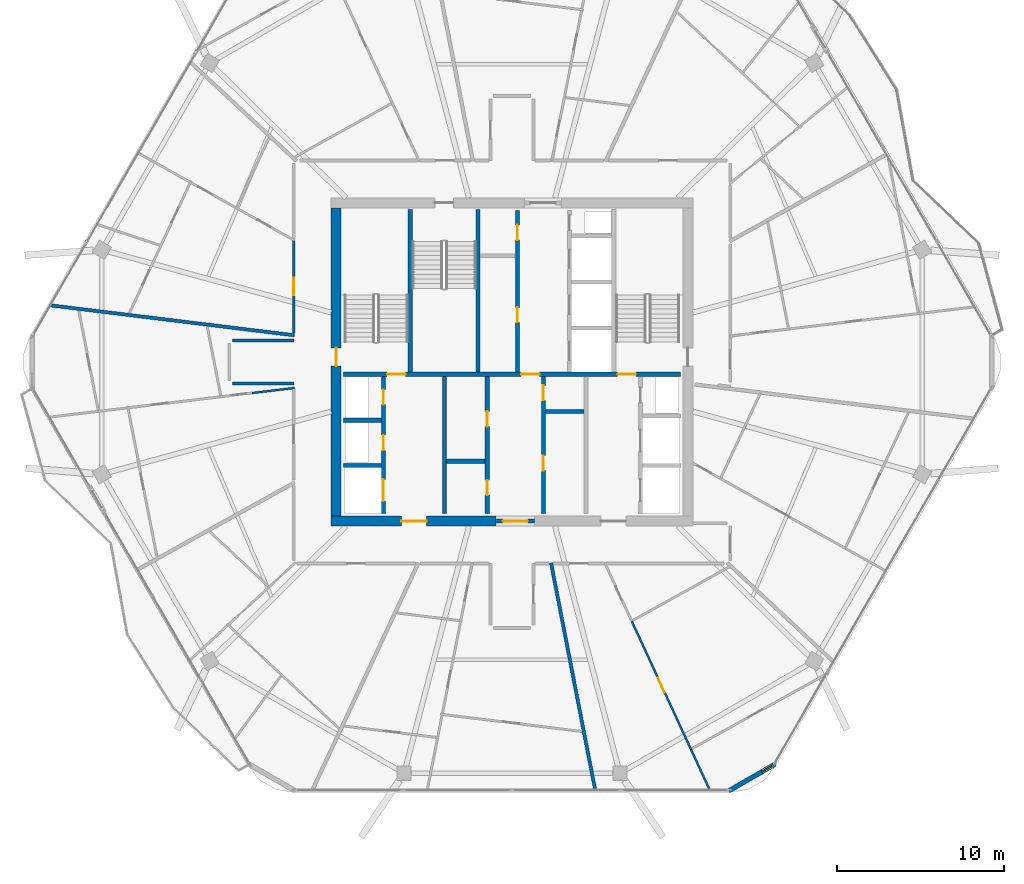
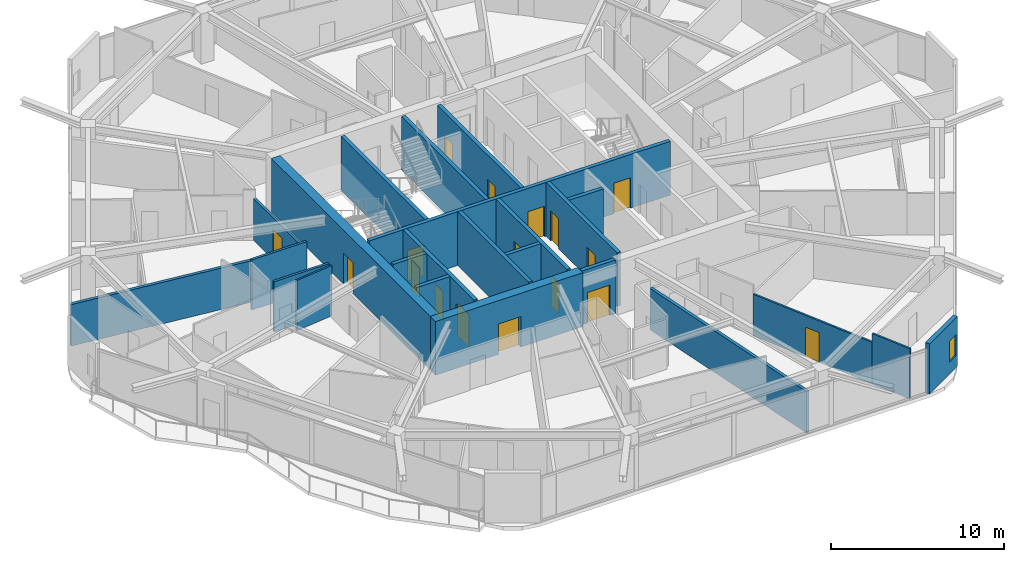
# One storey, part 19 of 26: 24 walls, 17 doors, 1 window, 18 openings.
"""IFC4 building model written with IfcOpenShell, lengths in metres."""

from ifc_helpers import new_model, si_unit, direction, frame, frame_2d, origin, place, context, subcontext, project, spatial, rectangle, extrude, material, layer, layer_set, type_object, element, fill, save


model = new_model("IFC4")

# Units and contexts
model_context = context("Model", 3, precision=1e-05, world=origin(), true_north=direction((0.0, 1.0)))
body_context = subcontext(model_context, "Body", "Model", "MODEL_VIEW")
ifc_project = project(units=[si_unit("LENGTHUNIT", "METRE"), si_unit("AREAUNIT", "SQUARE_METRE"), si_unit("VOLUMEUNIT", "CUBIC_METRE"), si_unit("PLANEANGLEUNIT", "RADIAN"), si_unit("MASSUNIT", "GRAM", prefix="KILO")], contexts=[model_context])

# Site, building, storey
site_placement = place(None, origin())
site = spatial("IfcSite", under=ifc_project, at=site_placement, CompositionType="ELEMENT")
building_placement = place(site_placement, origin())
building = spatial("IfcBuilding", under=site, at=building_placement, Name="Zuhravey Tower", CompositionType="ELEMENT")
storey_placement = place(building_placement, frame((0.0, 0.0, 273.0)))
storey = spatial("IfcBuildingStorey", under=building, at=storey_placement, Name="L69", CompositionType="ELEMENT", Elevation=273.0)

# Wall, opening, door
ifc_material_1 = material(Name="Concrete C50/60", Category="concrete")
ifc_layer_1 = layer(ifc_material_1, 0.60009765625)
ifc_layer_set_1 = layer_set([ifc_layer_1], Name="Concrete C50/60")
wall_type_1 = type_object("IfcWallType", Name="Core Shear Wall 600", PredefinedType="SHEAR", material=ifc_layer_set_1)
wall_1_placement = place(storey_placement, frame((25.199951171875, 22.5, 0.0), z_axis=(0.0, 0.0, 1.0), x_axis=(1.0, 0.0, 0.0)))
wall_1 = element("IfcWall", 1, at=wall_1_placement, inside=storey, type_object=wall_type_1, Name="L69 South-West Core Shear Wall CW60", PredefinedType="SHEAR", context=body_context, shape_type="SweptSolid", body=[
    extrude(rectangle(XDim=9.85009765625, YDim=0.60009765625, at=frame_2d((4.925048828125, 0.0))), origin(), (0.0, 0.0, 1.0), 3.800048828125),
])
opening_1_placement = place(wall_1_placement, frame((4.199951171875, 0.0, 0.0)))
opening_1 = element("IfcOpeningElement", 2, at=opening_1_placement, cuts=wall_1, Name="Opening FFD1", PredefinedType="OPENING", context=body_context, shape_type="SweptSolid", body=[
    extrude(rectangle(XDim=1.5, YDim=2.14990234375, at=frame_2d((0.75, 1.074951171875))), frame((0.0, 0.31201171875, 0.0), z_axis=(0.0, -1.0, 0.0), x_axis=(1.0, 0.0, 0.0)), (0.0, 0.0, 1.0), 0.6240234375),
])
ifc_material_2 = material(Name="Galvanised fire-rated steel leaf", Category="steel")
door_type_1 = type_object("IfcDoorType", Name="Firefighting Lobby Double Door 1500x2150", OperationType="DOUBLE_DOOR_SINGLE_SWING", PredefinedType="DOOR", material=ifc_material_2)
door_1_placement = place(opening_1_placement, origin())
door_1 = element("IfcDoor", 3, at=door_1_placement, inside=storey, type_object=door_type_1, Name="L69 Firefighting Lobby West Door", OperationType="DOUBLE_DOOR_SINGLE_SWING", OverallHeight=2.14990234375, OverallWidth=1.5, PredefinedType="DOOR", context=body_context, shape_type="SweptSolid", body=[
    extrude(rectangle(XDim=1.5, YDim=2.14990234375, at=frame_2d((0.75, 1.074951171875))), frame((0.0, 0.02490234375, 0.0), z_axis=(0.0, -1.0, 0.0), x_axis=(1.0, 0.0, 0.0)), (0.0, 0.0, 1.0), 0.050048828125),
])
fill(opening_1, door_1)

wall_2_placement = place(storey_placement, frame((25.5, 22.800048828125, 0.0), z_axis=(0.0, 0.0, 1.0), x_axis=(0.0, 1.0, 0.0)))
wall_2 = element("IfcWall", 4, at=wall_2_placement, inside=storey, type_object=wall_type_1, Name="L69 West Core Shear Wall CW60", PredefinedType="SHEAR", context=body_context, shape_type="SweptSolid", body=[
    extrude(rectangle(XDim=18.39990234375, YDim=0.60009765625, at=frame_2d((9.199951171875, 0.0))), origin(), (0.0, 0.0, 1.0), 3.800048828125),
])
opening_2_placement = place(wall_2_placement, frame((8.949951171875, 0.0, 0.0)))
opening_2 = element("IfcOpeningElement", 5, at=opening_2_placement, cuts=wall_2, Name="Opening STD1", PredefinedType="OPENING", context=body_context, shape_type="SweptSolid", body=[
    extrude(rectangle(XDim=1.10009765625, YDim=2.14990234375, at=frame_2d((0.550048828125, 1.074951171875))), frame((0.0, 0.31201171875, 0.0), z_axis=(0.0, -1.0, 0.0), x_axis=(1.0, 0.0, 0.0)), (0.0, 0.0, 1.0), 0.6240234375),
])
door_type_2 = type_object("IfcDoorType", Name="Protected Stair Fire Door 1100x2150", OperationType="NOTDEFINED", PredefinedType="USERDEFINED", material=ifc_material_2)
door_2_placement = place(opening_2_placement, frame((1.10009765625, 0.0, 0.0), z_axis=(0.0, 0.0, 1.0), x_axis=(-1.0, 0.0, 0.0)))
door_2 = element("IfcDoor", 6, at=door_2_placement, inside=storey, type_object=door_type_2, Name="L69 Stair ST1 Door", ObjectType="EXITDOOR", OperationType="SINGLE_SWING_RIGHT", OverallHeight=2.14990234375, OverallWidth=1.10009765625, PredefinedType="USERDEFINED", context=body_context, shape_type="SweptSolid", body=[
    extrude(rectangle(XDim=1.10009765625, YDim=2.14990234375, at=frame_2d((0.550048828125, 1.074951171875))), frame((0.0, 0.02490234375, 0.0), z_axis=(0.0, -1.0, 0.0), x_axis=(1.0, 0.0, 0.0)), (0.0, 0.0, 1.0), 0.050048828125),
])
fill(opening_2, door_2)

ifc_material_3 = material(Name="Gypsum fire-rated stud partition")
ifc_layer_2 = layer(ifc_material_3, 0.159912109375)
ifc_layer_set_2 = layer_set([ifc_layer_2], Name="Gypsum fire-rated stud partition")
wall_type_2 = type_object("IfcWallType", Name="Corridor Fire Partition 160", PredefinedType="PARTITIONING", material=ifc_layer_set_2)
wall_3_placement = place(storey_placement, frame((22.969970703125, 39.25927734375, 0.0), z_axis=(0.0, 0.0, 1.0), x_axis=(0.0, -1.0, 0.0)))
wall_3 = element("IfcWall", 7, at=wall_3_placement, inside=storey, type_object=wall_type_2, Name="L69 IW16 Partition 025", PredefinedType="PARTITIONING", context=body_context, shape_type="SweptSolid", body=[
    extrude(rectangle(XDim=5.523681640625, YDim=0.159912109375, at=frame_2d((2.76171875, 0.0))), origin(), (0.0, 0.0, 1.0), 2.949951171875),
])
opening_3_placement = place(wall_3_placement, frame((2.23681640625, 0.0, 0.0)))
opening_3 = element("IfcOpeningElement", 8, at=opening_3_placement, cuts=wall_3, Name="Opening APD1", PredefinedType="OPENING", context=body_context, shape_type="SweptSolid", body=[
    extrude(rectangle(XDim=1.050048828125, YDim=2.14990234375, at=frame_2d((0.52490234375, 1.074951171875))), frame((0.0, 0.092041015625, 0.0), z_axis=(0.0, -1.0, 0.0), x_axis=(1.0, 0.0, 0.0)), (0.0, 0.0, 1.0), 0.183837890625),
])
ifc_material_4 = material(Name="Solid-core oak fire-rated leaf")
door_type_3 = type_object("IfcDoorType", Name="Apartment Entrance Fire Door 1050x2150", OperationType="NOTDEFINED", PredefinedType="DOOR", material=ifc_material_4)
door_3_placement = place(opening_3_placement, frame((1.050048828125, 0.0, 0.0), z_axis=(0.0, 0.0, 1.0), x_axis=(-1.0, 0.0, 0.0)))
door_3 = element("IfcDoor", 9, at=door_3_placement, inside=storey, type_object=door_type_3, Name="L69 Door 025.1", OperationType="SINGLE_SWING_RIGHT", OverallHeight=2.14990234375, OverallWidth=1.050048828125, PredefinedType="DOOR", context=body_context, shape_type="SweptSolid", body=[
    extrude(rectangle(XDim=1.050048828125, YDim=2.14990234375, at=frame_2d((0.52490234375, 1.074951171875))), frame((0.0, 0.02490234375, 0.0), z_axis=(0.0, -1.0, 0.0), x_axis=(1.0, 0.0, 0.0)), (0.0, 0.0, 1.0), 0.050048828125),
])
fill(opening_3, door_3)

# Walls
for number, where, z_axis, x_axis, name in (
    (10, (22.969970703125, 33.280029296875, 0.0), (0.0, 0.0, 1.0), (-1.0, 0.0, 0.0), "L69 IW16 Partition 114"),
    (11, (19.300048828125, 30.719970703125, 0.0), (0.0, 0.0, 1.0), (1.0, 0.0, 0.0), "L69 IW16 Partition 115"),
):
    element("IfcWall", number, at=place(storey_placement, frame(where, z_axis=z_axis, x_axis=x_axis)), inside=storey, type_object=wall_type_2, Name=name, PredefinedType="PARTITIONING", context=body_context, shape_type="SweptSolid", body=[
        extrude(rectangle(XDim=3.669921875, YDim=0.159912109375, at=frame_2d((1.8349609375, 0.0))), origin(), (0.0, 0.0, 1.0), 3.550048828125),
    ])

# Wall, opening, window
ifc_material_5 = material(Name="Precast concrete C40/50", Category="concrete")
ifc_layer_3 = layer(ifc_material_5, 0.280029296875)
ifc_layer_set_3 = layer_set([ifc_layer_3], Name="Precast concrete C40/50")
wall_type_3 = type_object("IfcWallType", Name="Crown Architectural Wall 280", PredefinedType="SOLIDWALL", material=ifc_layer_set_3)
wall_4_placement = place(storey_placement, frame((51.714599609375, 7.996337890625, 0.0), z_axis=(0.0, 0.0, 1.0), x_axis=(-0.866028773314, -0.499994163758, 0.0)))
wall_4 = element("IfcWall", 12, at=wall_4_placement, inside=storey, type_object=wall_type_3, Name="L69 Rounded Corner Closure Wall EW28-02", PredefinedType="SOLIDWALL", context=body_context, shape_type="SweptSolid", body=[
    extrude(rectangle(XDim=3.21484375, YDim=0.280029296875, at=frame_2d((1.607421875, 0.0))), origin(), (0.0, 0.0, 1.0), 3.550048828125),
])
opening_4_placement = place(wall_4_placement, frame((0.17578125, 0.0, 0.85009765625)))
opening_4 = element("IfcOpeningElement", 13, at=opening_4_placement, cuts=wall_4, Name="Opening WN5", PredefinedType="OPENING", context=body_context, shape_type="SweptSolid", body=[
    extrude(rectangle(XDim=0.75, YDim=1.5, at=frame_2d((0.375, 0.75))), frame((0.0, 0.152099609375, 0.0), z_axis=(0.0, -1.0, 0.0), x_axis=(1.0, 0.0, 0.0)), (0.0, 0.0, 1.0), 0.303955078125),
])
ifc_material_6 = material(Name="Thermally broken aluminium and triple low-E glass", Category="aluminium")
window_type = type_object("IfcWindowType", Name="Residential Corner Casement Window 750x1500", PartitioningType="SINGLE_PANEL", PredefinedType="WINDOW", material=ifc_material_6)
window_placement = place(opening_4_placement, origin())
window = element("IfcWindow", 14, at=window_placement, inside=storey, type_object=window_type, Name="L69 Corner Casement Window WN5-02.1", OverallHeight=1.5, OverallWidth=0.75, PartitioningType="SINGLE_PANEL", PredefinedType="WINDOW", context=body_context, shape_type="SweptSolid", body=[
    extrude(rectangle(XDim=0.75, YDim=1.5, at=frame_2d((0.375, 0.75))), frame((0.0, 0.030029296875, 0.0), z_axis=(0.0, -1.0, 0.0), x_axis=(1.0, 0.0, 0.0)), (0.0, 0.0, 1.0), 0.06005859375),
])
fill(opening_4, window)

# Wall, opening, door
ifc_layer_4 = layer(ifc_material_1, 0.25)
ifc_layer_set_4 = layer_set([ifc_layer_4], Name="Concrete C50/60")
wall_type_4 = type_object("IfcWallType", Name="Firefighting Shaft & Stair Wall 250", PredefinedType="SOLIDWALL", material=ifc_layer_set_4)
wall_5_placement = place(storey_placement, frame((35.06005859375, 22.5, 0.0), z_axis=(0.0, 0.0, 1.0), x_axis=(1.0, 0.0, 0.0)))
wall_5 = element("IfcWall", 15, at=wall_5_placement, inside=storey, type_object=wall_type_4, Name="L69 FW25 Shaft Wall 001", PredefinedType="SOLIDWALL", context=body_context, shape_type="SweptSolid", body=[
    extrude(rectangle(XDim=2.280029296875, YDim=0.25, at=frame_2d((1.14013671875, 0.0))), origin(), (0.0, 0.0, 1.0), 3.800048828125),
])
opening_5_placement = place(wall_5_placement, frame((0.389892578125, 0.0, 0.0)))
opening_5 = element("IfcOpeningElement", 16, at=opening_5_placement, cuts=wall_5, Name="Opening FFD1", PredefinedType="OPENING", context=body_context, shape_type="SweptSolid", body=[
    extrude(rectangle(XDim=1.5, YDim=2.14990234375, at=frame_2d((0.75, 1.074951171875))), frame((0.0, 0.136962890625, 0.0), z_axis=(0.0, -1.0, 0.0), x_axis=(1.0, 0.0, 0.0)), (0.0, 0.0, 1.0), 0.27392578125),
])
door_4_placement = place(opening_5_placement, frame((1.5, 0.0, 0.0), z_axis=(0.0, 0.0, 1.0), x_axis=(-1.0, 0.0, 0.0)))
door_4 = element("IfcDoor", 17, at=door_4_placement, inside=storey, type_object=door_type_1, Name="L69 South Lift Lobby Exit Door", OperationType="DOUBLE_DOOR_SINGLE_SWING", OverallHeight=2.14990234375, OverallWidth=1.5, PredefinedType="DOOR", context=body_context, shape_type="SweptSolid", body=[
    extrude(rectangle(XDim=1.5, YDim=2.14990234375, at=frame_2d((0.75, 1.074951171875))), frame((0.0, 0.02490234375, 0.0), z_axis=(0.0, -1.0, 0.0), x_axis=(1.0, 0.0, 0.0)), (0.0, 0.0, 1.0), 0.050048828125),
])
fill(opening_5, door_4)

# Wall, openings, doors
wall_6_placement = place(storey_placement, frame((25.949951171875, 31.27490234375, 0.0), z_axis=(0.0, 0.0, 1.0), x_axis=(1.0, 0.0, 0.0)))
wall_6 = element("IfcWall", 18, at=wall_6_placement, inside=storey, type_object=wall_type_4, Name="L69 FW25 Shaft Wall 003", PredefinedType="SOLIDWALL", context=body_context, shape_type="SweptSolid", body=[
    extrude(rectangle(XDim=20.10009765625, YDim=0.25, at=frame_2d((10.050048828125, 0.0))), origin(), (0.0, 0.0, 1.0), 3.800048828125),
])
opening_6_placement = place(wall_6_placement, frame((2.60009765625, 0.0, 0.0)))
opening_6 = element("IfcOpeningElement", 19, at=opening_6_placement, cuts=wall_6, Name="Opening STD1", PredefinedType="OPENING", context=body_context, shape_type="SweptSolid", body=[
    extrude(rectangle(XDim=1.10009765625, YDim=2.14990234375, at=frame_2d((0.550048828125, 1.074951171875))), frame((0.0, 0.136962890625, 0.0), z_axis=(0.0, -1.0, 0.0), x_axis=(1.0, 0.0, 0.0)), (0.0, 0.0, 1.0), 0.27392578125),
])
opening_7_placement = place(wall_6_placement, frame((10.60009765625, 0.0, 0.0)))
opening_7 = element("IfcOpeningElement", 20, at=opening_7_placement, cuts=wall_6, Name="Opening STD1", PredefinedType="OPENING", context=body_context, shape_type="SweptSolid", body=[
    extrude(rectangle(XDim=1.10009765625, YDim=2.14990234375, at=frame_2d((0.550048828125, 1.074951171875))), frame((0.0, 0.136962890625, 0.0), z_axis=(0.0, -1.0, 0.0), x_axis=(1.0, 0.0, 0.0)), (0.0, 0.0, 1.0), 0.27392578125),
])
opening_8_placement = place(wall_6_placement, frame((16.35009765625, 0.0, 0.0)))
opening_8 = element("IfcOpeningElement", 21, at=opening_8_placement, cuts=wall_6, Name="Opening STD1", PredefinedType="OPENING", context=body_context, shape_type="SweptSolid", body=[
    extrude(rectangle(XDim=1.10009765625, YDim=2.14990234375, at=frame_2d((0.550048828125, 1.074951171875))), frame((0.0, 0.136962890625, 0.0), z_axis=(0.0, -1.0, 0.0), x_axis=(1.0, 0.0, 0.0)), (0.0, 0.0, 1.0), 0.27392578125),
])
door_5_placement = place(opening_6_placement, origin())
door_5 = element("IfcDoor", 22, at=door_5_placement, inside=storey, type_object=door_type_2, Name="L69 FFL-W to ST1 Door", ObjectType="EXITDOOR", OperationType="SINGLE_SWING_LEFT", OverallHeight=2.14990234375, OverallWidth=1.10009765625, PredefinedType="USERDEFINED", context=body_context, shape_type="SweptSolid", body=[
    extrude(rectangle(XDim=1.10009765625, YDim=2.14990234375, at=frame_2d((0.550048828125, 1.074951171875))), frame((0.0, 0.02490234375, 0.0), z_axis=(0.0, -1.0, 0.0), x_axis=(1.0, 0.0, 0.0)), (0.0, 0.0, 1.0), 0.050048828125),
])
fill(opening_6, door_5)
door_6_placement = place(opening_7_placement, origin())
door_6 = element("IfcDoor", 23, at=door_6_placement, inside=storey, type_object=door_type_2, Name="L69 Core Lobby Link Door", ObjectType="EXITDOOR", OperationType="SINGLE_SWING_RIGHT", OverallHeight=2.14990234375, OverallWidth=1.10009765625, PredefinedType="USERDEFINED", context=body_context, shape_type="SweptSolid", body=[
    extrude(rectangle(XDim=1.10009765625, YDim=2.14990234375, at=frame_2d((0.550048828125, 1.074951171875))), frame((0.0, 0.02490234375, 0.0), z_axis=(0.0, -1.0, 0.0), x_axis=(1.0, 0.0, 0.0)), (0.0, 0.0, 1.0), 0.050048828125),
])
fill(opening_7, door_6)
door_7_placement = place(opening_8_placement, origin())
door_7 = element("IfcDoor", 24, at=door_7_placement, inside=storey, type_object=door_type_2, Name="L69 FFL-E to ST2 Door", ObjectType="EXITDOOR", OperationType="SINGLE_SWING_LEFT", OverallHeight=2.14990234375, OverallWidth=1.10009765625, PredefinedType="USERDEFINED", context=body_context, shape_type="SweptSolid", body=[
    extrude(rectangle(XDim=1.10009765625, YDim=2.14990234375, at=frame_2d((0.550048828125, 1.074951171875))), frame((0.0, 0.02490234375, 0.0), z_axis=(0.0, -1.0, 0.0), x_axis=(1.0, 0.0, 0.0)), (0.0, 0.0, 1.0), 0.050048828125),
])
fill(opening_8, door_7)

# Walls
for number, where, z_axis, x_axis, name in (
    (25, (29.925048828125, 31.39990234375, 0.0), (0.0, 0.0, 1.0), (0.0, 1.0, 0.0), "L69 FW25 Shaft Wall 004"),
    (26, (33.97509765625, 31.39990234375, 0.0), (0.0, 0.0, 1.0), (0.0, 1.0, 0.0), "L69 FW25 Shaft Wall 005"),
):
    element("IfcWall", number, at=place(storey_placement, frame(where, z_axis=z_axis, x_axis=x_axis)), inside=storey, type_object=wall_type_4, Name=name, PredefinedType="SOLIDWALL", context=body_context, shape_type="SweptSolid", body=[
        extrude(rectangle(XDim=9.7001953125, YDim=0.25, at=frame_2d((4.85009765625, 0.0))), origin(), (0.0, 0.0, 1.0), 3.800048828125),
    ])

# Wall, openings, doors
wall_7_placement = place(storey_placement, frame((36.324951171875, 31.39990234375, 0.0), z_axis=(0.0, 0.0, 1.0), x_axis=(0.0, 1.0, 0.0)))
wall_7 = element("IfcWall", 27, at=wall_7_placement, inside=storey, type_object=wall_type_4, Name="L69 FW25 Shaft Wall 007", PredefinedType="SOLIDWALL", context=body_context, shape_type="SweptSolid", body=[
    extrude(rectangle(XDim=9.650146484375, YDim=0.25, at=frame_2d((4.8251953125, 0.0))), origin(), (0.0, 0.0, 1.0), 3.800048828125),
])
opening_9_placement = place(wall_7_placement, frame((2.965087890625, 0.0, 0.0)))
opening_9 = element("IfcOpeningElement", 28, at=opening_9_placement, cuts=wall_7, Name="Opening RSD1", PredefinedType="OPENING", context=body_context, shape_type="SweptSolid", body=[
    extrude(rectangle(XDim=0.89990234375, YDim=2.10009765625, at=frame_2d((0.449951171875, 1.050048828125))), frame((0.0, 0.136962890625, 0.0), z_axis=(0.0, -1.0, 0.0), x_axis=(1.0, 0.0, 0.0)), (0.0, 0.0, 1.0), 0.27392578125),
])
opening_10_placement = place(wall_7_placement, frame((7.885009765625, 0.0, 0.0)))
opening_10 = element("IfcOpeningElement", 29, at=opening_10_placement, cuts=wall_7, Name="Opening RSD1", PredefinedType="OPENING", context=body_context, shape_type="SweptSolid", body=[
    extrude(rectangle(XDim=0.89990234375, YDim=2.10009765625, at=frame_2d((0.449951171875, 1.050048828125))), frame((0.0, 0.136962890625, 0.0), z_axis=(0.0, -1.0, 0.0), x_axis=(1.0, 0.0, 0.0)), (0.0, 0.0, 1.0), 0.27392578125),
])
ifc_material_7 = material(Name="Galvanised fire-rated steel access leaf", Category="steel")
door_type_4 = type_object("IfcDoorType", Name="Riser & Shaft Access Fire Door 900x2100", OperationType="NOTDEFINED", PredefinedType="DOOR", material=ifc_material_7)
door_8_placement = place(opening_9_placement, origin())
door_8 = element("IfcDoor", 30, at=door_8_placement, inside=storey, type_object=door_type_4, Name="L69 Equipment and Refuse Store Door", OperationType="SINGLE_SWING_RIGHT", OverallHeight=2.10009765625, OverallWidth=0.89990234375, PredefinedType="DOOR", context=body_context, shape_type="SweptSolid", body=[
    extrude(rectangle(XDim=0.89990234375, YDim=2.10009765625, at=frame_2d((0.449951171875, 1.050048828125))), frame((0.0, 0.02490234375, 0.0), z_axis=(0.0, -1.0, 0.0), x_axis=(1.0, 0.0, 0.0)), (0.0, 0.0, 1.0), 0.050048828125),
])
fill(opening_9, door_8)
door_9_placement = place(opening_10_placement, origin())
door_9 = element("IfcDoor", 31, at=door_9_placement, inside=storey, type_object=door_type_4, Name="L69 BMS Control Room Door", OperationType="SINGLE_SWING_LEFT", OverallHeight=2.10009765625, OverallWidth=0.89990234375, PredefinedType="DOOR", context=body_context, shape_type="SweptSolid", body=[
    extrude(rectangle(XDim=0.89990234375, YDim=2.10009765625, at=frame_2d((0.449951171875, 1.050048828125))), frame((0.0, 0.02490234375, 0.0), z_axis=(0.0, -1.0, 0.0), x_axis=(1.0, 0.0, 0.0)), (0.0, 0.0, 1.0), 0.050048828125),
])
fill(opening_10, door_9)

# Walls
for number, where, z_axis, x_axis, name in (
    (32, (25.949951171875, 25.824951171875, 0.0), (0.0, 0.0, 1.0), (1.0, 0.0, 0.0), "L69 FW25 Shaft Wall 009"),
    (33, (25.949951171875, 28.52490234375, 0.0), (0.0, 0.0, 1.0), (1.0, 0.0, 0.0), "L69 FW25 Shaft Wall 010"),
):
    element("IfcWall", number, at=place(storey_placement, frame(where, z_axis=z_axis, x_axis=x_axis)), inside=storey, type_object=wall_type_4, Name=name, PredefinedType="SOLIDWALL", context=body_context, shape_type="SweptSolid", body=[
        extrude(rectangle(XDim=2.25, YDim=0.25, at=frame_2d((1.125, 0.0))), origin(), (0.0, 0.0, 1.0), 3.800048828125),
    ])

# Wall, openings, doors
wall_8_placement = place(storey_placement, frame((28.324951171875, 22.949951171875, 0.0), z_axis=(0.0, 0.0, 1.0), x_axis=(0.0, 1.0, 0.0)))
wall_8 = element("IfcWall", 34, at=wall_8_placement, inside=storey, type_object=wall_type_4, Name="L69 FW25 Shaft Wall 011", PredefinedType="SOLIDWALL", context=body_context, shape_type="SweptSolid", body=[
    extrude(rectangle(XDim=8.199951171875, YDim=0.25, at=frame_2d((4.10009765625, 0.0))), origin(), (0.0, 0.0, 1.0), 3.800048828125),
])
opening_11_placement = place(wall_8_placement, frame((0.75, 0.0, 0.0)))
opening_11 = element("IfcOpeningElement", 35, at=opening_11_placement, cuts=wall_8, Name="Opening LD2", PredefinedType="OPENING", context=body_context, shape_type="SweptSolid", body=[
    extrude(rectangle(XDim=1.300048828125, YDim=2.300048828125, at=frame_2d((0.64990234375, 1.14990234375))), frame((0.0, 0.136962890625, 0.0), z_axis=(0.0, -1.0, 0.0), x_axis=(1.0, 0.0, 0.0)), (0.0, 0.0, 1.0), 0.27392578125),
])
opening_12_placement = place(wall_8_placement, frame((3.780029296875, 0.0, 0.0)))
opening_12 = element("IfcOpeningElement", 36, at=opening_12_placement, cuts=wall_8, Name="Opening RSD1", PredefinedType="OPENING", context=body_context, shape_type="SweptSolid", body=[
    extrude(rectangle(XDim=0.89990234375, YDim=2.10009765625, at=frame_2d((0.449951171875, 1.050048828125))), frame((0.0, 0.136962890625, 0.0), z_axis=(0.0, -1.0, 0.0), x_axis=(1.0, 0.0, 0.0)), (0.0, 0.0, 1.0), 0.27392578125),
])
opening_13_placement = place(wall_8_placement, frame((6.5, 0.0, 0.0)))
opening_13 = element("IfcOpeningElement", 37, at=opening_13_placement, cuts=wall_8, Name="Opening RSD1", PredefinedType="OPENING", context=body_context, shape_type="SweptSolid", body=[
    extrude(rectangle(XDim=0.89990234375, YDim=2.10009765625, at=frame_2d((0.449951171875, 1.050048828125))), frame((0.0, 0.136962890625, 0.0), z_axis=(0.0, -1.0, 0.0), x_axis=(1.0, 0.0, 0.0)), (0.0, 0.0, 1.0), 0.27392578125),
])
ifc_material_8 = material(Name="Brushed stainless steel", Category="steel")
door_type_5 = type_object("IfcDoorType", Name="Freight & Stretcher Lift Sliding Door 1300x2300", OperationType="DOUBLE_DOOR_SLIDING", PredefinedType="DOOR", material=ifc_material_8)
door_10_placement = place(opening_11_placement, frame((1.300048828125, 0.0, 0.0), z_axis=(0.0, 0.0, 1.0), x_axis=(-1.0, 0.0, 0.0)))
door_10 = element("IfcDoor", 38, at=door_10_placement, inside=storey, type_object=door_type_5, Name="L69 Lift FF1 Landing Door", OperationType="DOUBLE_DOOR_SLIDING", OverallHeight=2.300048828125, OverallWidth=1.300048828125, PredefinedType="DOOR", context=body_context, shape_type="SweptSolid", body=[
    extrude(rectangle(XDim=1.300048828125, YDim=2.300048828125, at=frame_2d((0.64990234375, 1.14990234375))), frame((0.0, 0.02490234375, 0.0), z_axis=(0.0, -1.0, 0.0), x_axis=(1.0, 0.0, 0.0)), (0.0, 0.0, 1.0), 0.050048828125),
])
fill(opening_11, door_10)
door_11_placement = place(opening_12_placement, frame((0.89990234375, 0.0, 0.0), z_axis=(0.0, 0.0, 1.0), x_axis=(-1.0, 0.0, 0.0)))
door_11 = element("IfcDoor", 39, at=door_11_placement, inside=storey, type_object=door_type_4, Name="L69 Electrical Riser Door", OperationType="SINGLE_SWING_LEFT", OverallHeight=2.10009765625, OverallWidth=0.89990234375, PredefinedType="DOOR", context=body_context, shape_type="SweptSolid", body=[
    extrude(rectangle(XDim=0.89990234375, YDim=2.10009765625, at=frame_2d((0.449951171875, 1.050048828125))), frame((0.0, 0.02490234375, 0.0), z_axis=(0.0, -1.0, 0.0), x_axis=(1.0, 0.0, 0.0)), (0.0, 0.0, 1.0), 0.050048828125),
])
fill(opening_12, door_11)
door_12_placement = place(opening_13_placement, frame((0.89990234375, 0.0, 0.0), z_axis=(0.0, 0.0, 1.0), x_axis=(-1.0, 0.0, 0.0)))
door_12 = element("IfcDoor", 40, at=door_12_placement, inside=storey, type_object=door_type_4, Name="L69 Smoke Shaft Access Door", OperationType="SINGLE_SWING_RIGHT", OverallHeight=2.10009765625, OverallWidth=0.89990234375, PredefinedType="DOOR", context=body_context, shape_type="SweptSolid", body=[
    extrude(rectangle(XDim=0.89990234375, YDim=2.10009765625, at=frame_2d((0.449951171875, 1.050048828125))), frame((0.0, 0.02490234375, 0.0), z_axis=(0.0, -1.0, 0.0), x_axis=(1.0, 0.0, 0.0)), (0.0, 0.0, 1.0), 0.050048828125),
])
fill(opening_13, door_12)

# Walls
wall_9_placement = place(storey_placement, frame((31.97509765625, 22.949951171875, 0.0), z_axis=(0.0, 0.0, 1.0), x_axis=(0.0, 1.0, 0.0)))
element("IfcWall", 41, at=wall_9_placement, inside=storey, type_object=wall_type_4, Name="L69 FW25 Shaft Wall 012", PredefinedType="SOLIDWALL", context=body_context, shape_type="SweptSolid", body=[
    extrude(rectangle(XDim=8.199951171875, YDim=0.25, at=frame_2d((4.10009765625, 0.0))), origin(), (0.0, 0.0, 1.0), 3.800048828125),
])
wall_10_placement = place(storey_placement, frame((32.10009765625, 26.074951171875, 0.0), z_axis=(0.0, 0.0, 1.0), x_axis=(1.0, 0.0, 0.0)))
element("IfcWall", 42, at=wall_10_placement, inside=storey, type_object=wall_type_4, Name="L69 FW25 Shaft Wall 013", PredefinedType="SOLIDWALL", context=body_context, shape_type="SweptSolid", body=[
    extrude(rectangle(XDim=2.2998046875, YDim=0.25, at=frame_2d((1.14990234375, 0.0))), origin(), (0.0, 0.0, 1.0), 3.800048828125),
])

# Wall, openings, doors
wall_11_placement = place(storey_placement, frame((34.52490234375, 22.949951171875, 0.0), z_axis=(0.0, 0.0, 1.0), x_axis=(0.0, 1.0, 0.0)))
wall_11 = element("IfcWall", 43, at=wall_11_placement, inside=storey, type_object=wall_type_4, Name="L69 FW25 Shaft Wall 014", PredefinedType="SOLIDWALL", context=body_context, shape_type="SweptSolid", body=[
    extrude(rectangle(XDim=8.199951171875, YDim=0.25, at=frame_2d((4.10009765625, 0.0))), origin(), (0.0, 0.0, 1.0), 3.800048828125),
])
opening_14_placement = place(wall_11_placement, frame((1.10009765625, 0.0, 0.0)))
opening_14 = element("IfcOpeningElement", 44, at=opening_14_placement, cuts=wall_11, Name="Opening RSD1", PredefinedType="OPENING", context=body_context, shape_type="SweptSolid", body=[
    extrude(rectangle(XDim=0.89990234375, YDim=2.10009765625, at=frame_2d((0.449951171875, 1.050048828125))), frame((0.0, 0.136962890625, 0.0), z_axis=(0.0, -1.0, 0.0), x_axis=(1.0, 0.0, 0.0)), (0.0, 0.0, 1.0), 0.27392578125),
])
opening_15_placement = place(wall_11_placement, frame((5.199951171875, 0.0, 0.0)))
opening_15 = element("IfcOpeningElement", 45, at=opening_15_placement, cuts=wall_11, Name="Opening RSD1", PredefinedType="OPENING", context=body_context, shape_type="SweptSolid", body=[
    extrude(rectangle(XDim=0.89990234375, YDim=2.10009765625, at=frame_2d((0.449951171875, 1.050048828125))), frame((0.0, 0.136962890625, 0.0), z_axis=(0.0, -1.0, 0.0), x_axis=(1.0, 0.0, 0.0)), (0.0, 0.0, 1.0), 0.27392578125),
])
door_13_placement = place(opening_14_placement, origin())
door_13 = element("IfcDoor", 46, at=door_13_placement, inside=storey, type_object=door_type_4, Name="L69 Metering Room Door", OperationType="SINGLE_SWING_LEFT", OverallHeight=2.10009765625, OverallWidth=0.89990234375, PredefinedType="DOOR", context=body_context, shape_type="SweptSolid", body=[
    extrude(rectangle(XDim=0.89990234375, YDim=2.10009765625, at=frame_2d((0.449951171875, 1.050048828125))), frame((0.0, 0.02490234375, 0.0), z_axis=(0.0, -1.0, 0.0), x_axis=(1.0, 0.0, 0.0)), (0.0, 0.0, 1.0), 0.050048828125),
])
fill(opening_14, door_13)
door_14_placement = place(opening_15_placement, origin())
door_14 = element("IfcDoor", 47, at=door_14_placement, inside=storey, type_object=door_type_4, Name="L69 Housekeeping Supply Door", OperationType="SINGLE_SWING_RIGHT", OverallHeight=2.10009765625, OverallWidth=0.89990234375, PredefinedType="DOOR", context=body_context, shape_type="SweptSolid", body=[
    extrude(rectangle(XDim=0.89990234375, YDim=2.10009765625, at=frame_2d((0.449951171875, 1.050048828125))), frame((0.0, 0.02490234375, 0.0), z_axis=(0.0, -1.0, 0.0), x_axis=(1.0, 0.0, 0.0)), (0.0, 0.0, 1.0), 0.050048828125),
])
fill(opening_15, door_14)

# Wall
wall_12_placement = place(storey_placement, frame((38.0, 29.050048828125, 0.0), z_axis=(0.0, 0.0, 1.0), x_axis=(1.0, 0.0, 0.0)))
element("IfcWall", 48, at=wall_12_placement, inside=storey, type_object=wall_type_4, Name="L69 FW25 Shaft Wall 015", PredefinedType="SOLIDWALL", context=body_context, shape_type="SweptSolid", body=[
    extrude(rectangle(XDim=2.300048828125, YDim=0.25, at=frame_2d((1.14990234375, 0.0))), origin(), (0.0, 0.0, 1.0), 3.800048828125),
])

# Wall, openings, doors
wall_13_placement = place(storey_placement, frame((37.875, 22.949951171875, 0.0), z_axis=(0.0, 0.0, 1.0), x_axis=(0.0, 1.0, 0.0)))
wall_13 = element("IfcWall", 49, at=wall_13_placement, inside=storey, type_object=wall_type_4, Name="L69 FW25 Shaft Wall 016", PredefinedType="SOLIDWALL", context=body_context, shape_type="SweptSolid", body=[
    extrude(rectangle(XDim=8.199951171875, YDim=0.25, at=frame_2d((4.10009765625, 0.0))), origin(), (0.0, 0.0, 1.0), 3.800048828125),
])
opening_16_placement = place(wall_13_placement, frame((2.5625, 0.0, 0.0)))
opening_16 = element("IfcOpeningElement", 50, at=opening_16_placement, cuts=wall_13, Name="Opening RSD1", PredefinedType="OPENING", context=body_context, shape_type="SweptSolid", body=[
    extrude(rectangle(XDim=0.89990234375, YDim=2.10009765625, at=frame_2d((0.449951171875, 1.050048828125))), frame((0.0, 0.136962890625, 0.0), z_axis=(0.0, -1.0, 0.0), x_axis=(1.0, 0.0, 0.0)), (0.0, 0.0, 1.0), 0.27392578125),
])
opening_17_placement = place(wall_13_placement, frame((6.762451171875, 0.0, 0.0)))
opening_17 = element("IfcOpeningElement", 51, at=opening_17_placement, cuts=wall_13, Name="Opening RSD1", PredefinedType="OPENING", context=body_context, shape_type="SweptSolid", body=[
    extrude(rectangle(XDim=0.89990234375, YDim=2.10009765625, at=frame_2d((0.449951171875, 1.050048828125))), frame((0.0, 0.136962890625, 0.0), z_axis=(0.0, -1.0, 0.0), x_axis=(1.0, 0.0, 0.0)), (0.0, 0.0, 1.0), 0.27392578125),
])
door_15_placement = place(opening_16_placement, frame((0.89990234375, 0.0, 0.0), z_axis=(0.0, 0.0, 1.0), x_axis=(-1.0, 0.0, 0.0)))
door_15 = element("IfcDoor", 52, at=door_15_placement, inside=storey, type_object=door_type_4, Name="L69 Trunk Store Door", OperationType="SINGLE_SWING_LEFT", OverallHeight=2.10009765625, OverallWidth=0.89990234375, PredefinedType="DOOR", context=body_context, shape_type="SweptSolid", body=[
    extrude(rectangle(XDim=0.89990234375, YDim=2.10009765625, at=frame_2d((0.449951171875, 1.050048828125))), frame((0.0, 0.02490234375, 0.0), z_axis=(0.0, -1.0, 0.0), x_axis=(1.0, 0.0, 0.0)), (0.0, 0.0, 1.0), 0.050048828125),
])
fill(opening_16, door_15)
door_16_placement = place(opening_17_placement, frame((0.89990234375, 0.0, 0.0), z_axis=(0.0, 0.0, 1.0), x_axis=(-1.0, 0.0, 0.0)))
door_16 = element("IfcDoor", 53, at=door_16_placement, inside=storey, type_object=door_type_4, Name="L69 Fiber Room Door", OperationType="SINGLE_SWING_RIGHT", OverallHeight=2.10009765625, OverallWidth=0.89990234375, PredefinedType="DOOR", context=body_context, shape_type="SweptSolid", body=[
    extrude(rectangle(XDim=0.89990234375, YDim=2.10009765625, at=frame_2d((0.449951171875, 1.050048828125))), frame((0.0, 0.02490234375, 0.0), z_axis=(0.0, -1.0, 0.0), x_axis=(1.0, 0.0, 0.0)), (0.0, 0.0, 1.0), 0.050048828125),
])
fill(opening_17, door_16)

# Walls
ifc_material_9 = material(Name="Gypsum double-stud party assembly")
ifc_layer_5 = layer(ifc_material_9, 0.199951171875)
ifc_layer_set_5 = layer_set([ifc_layer_5], Name="Gypsum double-stud party assembly")
wall_type_5 = type_object("IfcWallType", Name="Inter-Tenancy Party Wall 200", PredefinedType="PARTITIONING", material=ifc_layer_set_5)
wall_14_placement = place(storey_placement, frame((23.010009765625, 33.594970703125, 0.0), z_axis=(0.0, 0.0, 1.0), x_axis=(-0.992545643102, 0.121873485057, 0.0)))
element("IfcWall", 54, at=wall_14_placement, inside=storey, type_object=wall_type_5, Name="L69 IW20 Partition 078", PredefinedType="PARTITIONING", context=body_context, shape_type="SweptSolid", body=[
    extrude(rectangle(XDim=14.68359375, YDim=0.199951171875, at=frame_2d((7.341796875, 0.0))), origin(), (0.0, 0.0, 1.0), 2.929931640625),
])
wall_15_placement = place(storey_placement, frame((38.33056640625, 20.010009765625, 0.0), z_axis=(0.0, 0.0, 1.0), x_axis=(0.190806334077, -0.981627700748, 0.0)))
element("IfcWall", 55, at=wall_15_placement, inside=storey, type_object=wall_type_5, Name="L69 IW20 Partition 090", PredefinedType="PARTITIONING", context=body_context, shape_type="SweptSolid", body=[
    extrude(rectangle(XDim=13.827880859375, YDim=0.199951171875, at=frame_2d((6.9140625, 0.0))), origin(), (0.0, 0.0, 1.0), 2.929931640625),
])

# Wall, opening, door
ifc_material_10 = material(Name="Gypsum metal-stud partition")
ifc_layer_6 = layer(ifc_material_10, 0.1201171875)
ifc_layer_set_6 = layer_set([ifc_layer_6], Name="Gypsum metal-stud partition")
wall_type_6 = type_object("IfcWallType", Name="Unit Internal Partition 120", PredefinedType="PARTITIONING", material=ifc_layer_set_6)
wall_16_placement = place(storey_placement, frame((43.155029296875, 16.514892578125, 0.0), z_axis=(0.0, 0.0, 1.0), x_axis=(0.419453006553, -0.907777051535, 0.0)))
wall_16 = element("IfcWall", 56, at=wall_16_placement, inside=storey, type_object=wall_type_6, Name="L69 IW12 Partition 044", PredefinedType="PARTITIONING", context=body_context, shape_type="SweptSolid", body=[
    extrude(rectangle(XDim=8.4296875, YDim=0.1201171875, at=frame_2d((4.21484375, 0.0))), origin(), (0.0, 0.0, 1.0), 2.929931640625),
])
opening_18_placement = place(wall_16_placement, frame((3.71484375, 0.0, 0.0)))
opening_18 = element("IfcOpeningElement", 57, at=opening_18_placement, cuts=wall_16, Name="Opening IND1", PredefinedType="OPENING", context=body_context, shape_type="SweptSolid", body=[
    extrude(rectangle(XDim=0.949951171875, YDim=2.10009765625, at=frame_2d((0.47509765625, 1.050048828125))), frame((0.0, 0.072021484375, 0.0), z_axis=(0.0, -1.0, 0.0), x_axis=(1.0, 0.0, 0.0)), (0.0, 0.0, 1.0), 0.14404296875),
])
ifc_material_11 = material(Name="Painted engineered timber leaf", Category="wood")
door_type_6 = type_object("IfcDoorType", Name="Internal Room & Bedroom Door 950x2100", OperationType="NOTDEFINED", PredefinedType="DOOR", material=ifc_material_11)
door_17_placement = place(opening_18_placement, origin())
door_17 = element("IfcDoor", 58, at=door_17_placement, inside=storey, type_object=door_type_6, Name="Apartment L69-05 Home Office Door", OperationType="SINGLE_SWING_LEFT", OverallHeight=2.10009765625, OverallWidth=0.949951171875, PredefinedType="DOOR", context=body_context, shape_type="SweptSolid", body=[
    extrude(rectangle(XDim=0.949951171875, YDim=2.10009765625, at=frame_2d((0.47509765625, 1.050048828125))), frame((0.0, 0.02490234375, 0.0), z_axis=(0.0, -1.0, 0.0), x_axis=(1.0, 0.0, 0.0)), (0.0, 0.0, 1.0), 0.050048828125),
])
fill(opening_18, door_17)

# Walls
wall_17_placement = place(storey_placement, frame((23.014892578125, 30.45166015625, 0.0), z_axis=(0.0, 0.0, 1.0), x_axis=(-0.992958240304, -0.118464902029, 0.0)))
element("IfcWall", 59, at=wall_17_placement, inside=storey, type_object=wall_type_6, Name="L69 IW12 Partition 079", PredefinedType="PARTITIONING", context=body_context, shape_type="SweptSolid", body=[
    extrude(rectangle(XDim=2.547119140625, YDim=0.1201171875, at=frame_2d((1.2734375, 0.0))), origin(), (0.0, 0.0, 1.0), 3.550048828125),
])
wall_18_placement = place(storey_placement, frame((46.69091796875, 8.862548828125, 0.0), z_axis=(0.0, 0.0, 1.0), x_axis=(0.419509024285, -0.907751165542, 0.0)))
element("IfcWall", 60, at=wall_18_placement, inside=storey, type_object=wall_type_6, Name="L69 IW12 Partition 092", PredefinedType="PARTITIONING", context=body_context, shape_type="SweptSolid", body=[
    extrude(rectangle(XDim=2.67822265625, YDim=0.1201171875, at=frame_2d((1.339111328125, 0.0))), origin(), (0.0, 0.0, 1.0), 3.550048828125),
])

save(model, "model.ifc")
